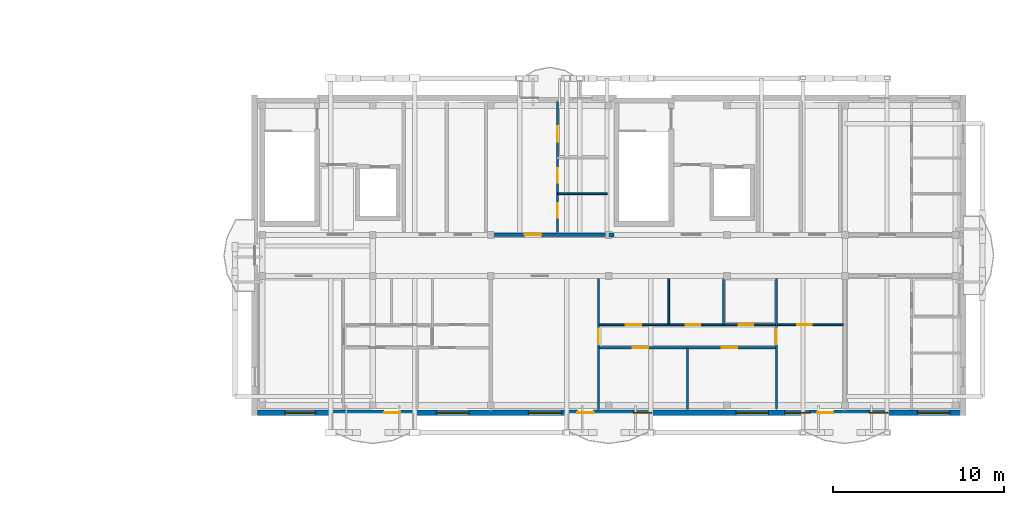
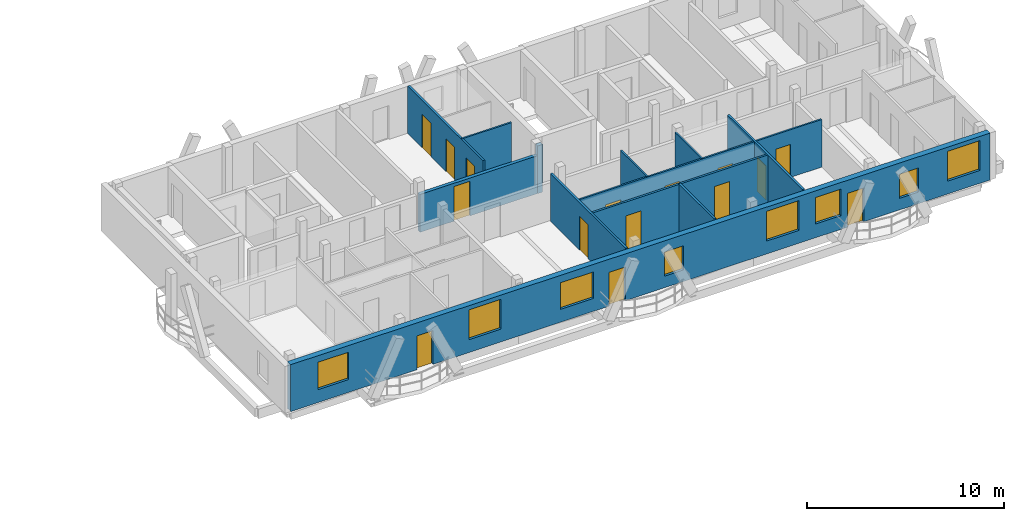
# One storey, part 25 of 41: 15 doors, 12 walls, 8 windows, 23 openings.
"""IFC4 building model written with IfcOpenShell, lengths in metres."""

from ifc_helpers import new_model, si_unit, direction, frame, frame_2d, origin, origin_with_axes, place, context, subcontext, project, spatial, rectangle, extrude, material, layer, layer_set, type_object, element, fill, save


model = new_model("IFC4")

# Units and contexts
model_context = context("Model", 3, precision=1e-05, world=origin(), true_north=direction((0.0, 1.0)))
body_context = subcontext(model_context, "Body", "Model", "MODEL_VIEW")
ifc_project = project(units=[si_unit("LENGTHUNIT", "METRE"), si_unit("AREAUNIT", "SQUARE_METRE"), si_unit("VOLUMEUNIT", "CUBIC_METRE"), si_unit("PLANEANGLEUNIT", "RADIAN"), si_unit("MASSUNIT", "GRAM", prefix="KILO")], contexts=[model_context])

# Site, building, storey
site_placement = place(None, origin())
site = spatial("IfcSite", under=ifc_project, at=site_placement, CompositionType="ELEMENT")
building_placement = place(site_placement, origin())
building = spatial("IfcBuilding", under=site, at=building_placement, Name="Zavelmont Quarter", CompositionType="ELEMENT")
storey_placement = place(building_placement, frame((0.0, 0.0, 27.199951171875)))
storey = spatial("IfcBuildingStorey", under=building, at=storey_placement, Name="L08", CompositionType="ELEMENT", Elevation=27.199951171875)

# Wall, openings, doors, windows
ifc_material_1 = material(Name="Natural Belgian limestone", Category="masonry")
ifc_layer_1 = layer(ifc_material_1, 0.340087890625)
ifc_layer_set_1 = layer_set([ifc_layer_1], Name="Natural Belgian limestone")
wall_type_1 = type_object("IfcWallType", Name="EW03", PredefinedType="STANDARD", material=ifc_layer_set_1)
wall_1_placement = place(storey_placement, frame((126.760009765625, 0.0, 0.0), z_axis=(0.0, 0.0, 1.0), x_axis=(1.0, 0.0, 0.0)))
wall_1 = element("IfcWall", 1, at=wall_1_placement, inside=storey, type_object=wall_type_1, Name="L08 exterior limestone wall EW03", PredefinedType="STANDARD", context=body_context, shape_type="SweptSolid", body=[
    extrude(rectangle(XDim=41.080078125, YDim=0.340087890625, at=frame_2d((20.5400390625, 0.0))), origin(), (0.0, 0.0, 1.0), 2.91015625),
])
opening_1_placement = place(wall_1_placement, frame((7.409912109375, 0.0, 0.0)))
opening_1 = element("IfcOpeningElement", 2, at=opening_1_placement, cuts=wall_1, Name="Opening DR04", PredefinedType="OPENING", context=body_context, shape_type="SweptSolid", body=[
    extrude(rectangle(XDim=0.949951171875, YDim=2.10009765625, at=frame_2d((0.47509765625, 1.050048828125))), frame((0.0, 0.18212890625, 0.0), z_axis=(0.0, -1.0, 0.0), x_axis=(1.0, 0.0, 0.0)), (0.0, 0.0, 1.0), 0.364013671875),
])
opening_2_placement = place(wall_1_placement, frame((18.707275390625, 0.0, 0.0)))
opening_2 = element("IfcOpeningElement", 3, at=opening_2_placement, cuts=wall_1, Name="Opening DR04", PredefinedType="OPENING", context=body_context, shape_type="SweptSolid", body=[
    extrude(rectangle(XDim=0.949951171875, YDim=2.10009765625, at=frame_2d((0.47509765625, 1.050048828125))), frame((0.0, 0.18212890625, 0.0), z_axis=(0.0, -1.0, 0.0), x_axis=(1.0, 0.0, 0.0)), (0.0, 0.0, 1.0), 0.364013671875),
])
opening_3_placement = place(wall_1_placement, frame((32.707275390625, 0.0, 0.0)))
opening_3 = element("IfcOpeningElement", 4, at=opening_3_placement, cuts=wall_1, Name="Opening DR04", PredefinedType="OPENING", context=body_context, shape_type="SweptSolid", body=[
    extrude(rectangle(XDim=0.949951171875, YDim=2.10009765625, at=frame_2d((0.47509765625, 1.050048828125))), frame((0.0, 0.18212890625, 0.0), z_axis=(0.0, -1.0, 0.0), x_axis=(1.0, 0.0, 0.0)), (0.0, 0.0, 1.0), 0.364013671875),
])
opening_4_placement = place(wall_1_placement, frame((1.610107421875, 0.0, 0.800048828125)))
opening_4 = element("IfcOpeningElement", 5, at=opening_4_placement, cuts=wall_1, Name="Opening WN02", PredefinedType="OPENING", context=body_context, shape_type="SweptSolid", body=[
    extrude(rectangle(XDim=1.800048828125, YDim=1.699951171875, at=frame_2d((0.89990234375, 0.85009765625))), frame((0.0, 0.18212890625, 0.0), z_axis=(0.0, -1.0, 0.0), x_axis=(1.0, 0.0, 0.0)), (0.0, 0.0, 1.0), 0.364013671875),
])
opening_5_placement = place(wall_1_placement, frame((10.4599609375, 0.0, 0.800048828125)))
opening_5 = element("IfcOpeningElement", 6, at=opening_5_placement, cuts=wall_1, Name="Opening WN20", PredefinedType="OPENING", context=body_context, shape_type="SweptSolid", body=[
    extrude(rectangle(XDim=1.89990234375, YDim=1.85009765625, at=frame_2d((0.949951171875, 0.925048828125))), frame((0.0, 0.18212890625, 0.0), z_axis=(0.0, -1.0, 0.0), x_axis=(1.0, 0.0, 0.0)), (0.0, 0.0, 1.0), 0.364013671875),
])
opening_6_placement = place(wall_1_placement, frame((15.8349609375, 0.0, 0.800048828125)))
opening_6 = element("IfcOpeningElement", 7, at=opening_6_placement, cuts=wall_1, Name="Opening WN24", PredefinedType="OPENING", context=body_context, shape_type="SweptSolid", body=[
    extrude(rectangle(XDim=1.949951171875, YDim=1.64990234375, at=frame_2d((0.97509765625, 0.824951171875))), frame((0.0, 0.18212890625, 0.0), z_axis=(0.0, -1.0, 0.0), x_axis=(1.0, 0.0, 0.0)), (0.0, 0.0, 1.0), 0.364013671875),
])
opening_7_placement = place(wall_1_placement, frame((21.9599609375, 0.0, 0.719970703125)))
opening_7 = element("IfcOpeningElement", 8, at=opening_7_placement, cuts=wall_1, Name="Opening WN09", PredefinedType="OPENING", context=body_context, shape_type="SweptSolid", body=[
    extrude(rectangle(XDim=1.10009765625, YDim=1.5, at=frame_2d((0.550048828125, 0.75))), frame((0.0, 0.18212890625, 0.0), z_axis=(0.0, -1.0, 0.0), x_axis=(1.0, 0.0, 0.0)), (0.0, 0.0, 1.0), 0.364013671875),
])
opening_8_placement = place(wall_1_placement, frame((27.9599609375, 0.0, 0.800048828125)))
opening_8 = element("IfcOpeningElement", 9, at=opening_8_placement, cuts=wall_1, Name="Opening WN20", PredefinedType="OPENING", context=body_context, shape_type="SweptSolid", body=[
    extrude(rectangle(XDim=1.89990234375, YDim=1.85009765625, at=frame_2d((0.949951171875, 0.925048828125))), frame((0.0, 0.18212890625, 0.0), z_axis=(0.0, -1.0, 0.0), x_axis=(1.0, 0.0, 0.0)), (0.0, 0.0, 1.0), 0.364013671875),
])
opening_9_placement = place(wall_1_placement, frame((30.81005859375, 0.0, 0.85009765625)))
opening_9 = element("IfcOpeningElement", 10, at=opening_9_placement, cuts=wall_1, Name="Opening WN01", PredefinedType="OPENING", context=body_context, shape_type="SweptSolid", body=[
    extrude(rectangle(XDim=1.5, YDim=1.64990234375, at=frame_2d((0.75, 0.824951171875))), frame((0.0, 0.18212890625, 0.0), z_axis=(0.0, -1.0, 0.0), x_axis=(1.0, 0.0, 0.0)), (0.0, 0.0, 1.0), 0.364013671875),
])
opening_10_placement = place(wall_1_placement, frame((35.760009765625, 0.0, 0.719970703125)))
opening_10 = element("IfcOpeningElement", 11, at=opening_10_placement, cuts=wall_1, Name="Opening WN09", PredefinedType="OPENING", context=body_context, shape_type="SweptSolid", body=[
    extrude(rectangle(XDim=1.10009765625, YDim=1.5, at=frame_2d((0.550048828125, 0.75))), frame((0.0, 0.18212890625, 0.0), z_axis=(0.0, -1.0, 0.0), x_axis=(1.0, 0.0, 0.0)), (0.0, 0.0, 1.0), 0.364013671875),
])
opening_11_placement = place(wall_1_placement, frame((38.574951171875, 0.0, 0.800048828125)))
opening_11 = element("IfcOpeningElement", 12, at=opening_11_placement, cuts=wall_1, Name="Opening WN20", PredefinedType="OPENING", context=body_context, shape_type="SweptSolid", body=[
    extrude(rectangle(XDim=1.89990234375, YDim=1.85009765625, at=frame_2d((0.949951171875, 0.925048828125))), frame((0.0, 0.18212890625, 0.0), z_axis=(0.0, -1.0, 0.0), x_axis=(1.0, 0.0, 0.0)), (0.0, 0.0, 1.0), 0.364013671875),
])
ifc_material_2 = material(Name="Thermally broken aluminium and double safety glass", Category="aluminium")
door_type_1 = type_object("IfcDoorType", Name="DR04", OperationType="NOTDEFINED", PredefinedType="DOOR", material=ifc_material_2)
door_1_placement = place(opening_1_placement, origin_with_axes())
door_1 = element("IfcDoor", 13, at=door_1_placement, inside=storey, type_object=door_type_1, Name="Block D L08 glazed balcony door", OperationType="SINGLE_SWING_LEFT", OverallHeight=2.10009765625, OverallWidth=0.949951171875, PredefinedType="DOOR", context=body_context, shape_type="SweptSolid", body=[
    extrude(rectangle(XDim=0.949951171875, YDim=2.10009765625, at=frame_2d((0.47509765625, 1.050048828125))), frame((0.0, 0.02490234375, 0.0), z_axis=(0.0, -1.0, 0.0), x_axis=(1.0, 0.0, 0.0)), (0.0, 0.0, 1.0), 0.050048828125),
])
fill(opening_1, door_1)
door_2_placement = place(opening_2_placement, origin_with_axes())
door_2 = element("IfcDoor", 14, at=door_2_placement, inside=storey, type_object=door_type_1, Name="Block D L08 glazed balcony door", OperationType="SINGLE_SWING_RIGHT", OverallHeight=2.10009765625, OverallWidth=0.949951171875, PredefinedType="DOOR", context=body_context, shape_type="SweptSolid", body=[
    extrude(rectangle(XDim=0.949951171875, YDim=2.10009765625, at=frame_2d((0.47509765625, 1.050048828125))), frame((0.0, 0.02490234375, 0.0), z_axis=(0.0, -1.0, 0.0), x_axis=(1.0, 0.0, 0.0)), (0.0, 0.0, 1.0), 0.050048828125),
])
fill(opening_2, door_2)
door_3_placement = place(opening_3_placement, origin_with_axes())
door_3 = element("IfcDoor", 15, at=door_3_placement, inside=storey, type_object=door_type_1, Name="Block D L08 glazed balcony door", OperationType="SINGLE_SWING_RIGHT", OverallHeight=2.10009765625, OverallWidth=0.949951171875, PredefinedType="DOOR", context=body_context, shape_type="SweptSolid", body=[
    extrude(rectangle(XDim=0.949951171875, YDim=2.10009765625, at=frame_2d((0.47509765625, 1.050048828125))), frame((0.0, 0.02490234375, 0.0), z_axis=(0.0, -1.0, 0.0), x_axis=(1.0, 0.0, 0.0)), (0.0, 0.0, 1.0), 0.050048828125),
])
fill(opening_3, door_3)
ifc_material_3 = material(Name="Double low-E insulated glazing in thermally broken aluminium frame", Category="aluminium")
window_type_1 = type_object("IfcWindowType", Name="WN01", PartitioningType="SINGLE_PANEL", PredefinedType="WINDOW", material=ifc_material_3)
window_1_placement = place(opening_9_placement, origin_with_axes())
window_1 = element("IfcWindow", 16, at=window_1_placement, inside=storey, type_object=window_type_1, Name="L08 window WN01", OverallHeight=1.64990234375, OverallWidth=1.5, PartitioningType="SINGLE_PANEL", PredefinedType="WINDOW", context=body_context, shape_type="SweptSolid", body=[
    extrude(rectangle(XDim=1.5, YDim=1.64990234375, at=frame_2d((0.75, 0.824951171875))), frame((0.0, 0.030029296875, 0.0), z_axis=(0.0, -1.0, 0.0), x_axis=(1.0, 0.0, 0.0)), (0.0, 0.0, 1.0), 0.06005859375),
])
fill(opening_9, window_1)
window_type_2 = type_object("IfcWindowType", Name="WN02", PartitioningType="SINGLE_PANEL", PredefinedType="WINDOW", material=ifc_material_3)
window_2_placement = place(opening_4_placement, origin_with_axes())
window_2 = element("IfcWindow", 17, at=window_2_placement, inside=storey, type_object=window_type_2, Name="L08 window WN02", OverallHeight=1.699951171875, OverallWidth=1.800048828125, PartitioningType="SINGLE_PANEL", PredefinedType="WINDOW", context=body_context, shape_type="SweptSolid", body=[
    extrude(rectangle(XDim=1.800048828125, YDim=1.699951171875, at=frame_2d((0.89990234375, 0.85009765625))), frame((0.0, 0.030029296875, 0.0), z_axis=(0.0, -1.0, 0.0), x_axis=(1.0, 0.0, 0.0)), (0.0, 0.0, 1.0), 0.06005859375),
])
fill(opening_4, window_2)
window_type_3 = type_object("IfcWindowType", Name="WN09", PartitioningType="SINGLE_PANEL", PredefinedType="WINDOW", material=ifc_material_3)
window_3_placement = place(opening_7_placement, origin_with_axes())
window_3 = element("IfcWindow", 18, at=window_3_placement, inside=storey, type_object=window_type_3, Name="L08 window WN09", OverallHeight=1.5, OverallWidth=1.10009765625, PartitioningType="SINGLE_PANEL", PredefinedType="WINDOW", context=body_context, shape_type="SweptSolid", body=[
    extrude(rectangle(XDim=1.10009765625, YDim=1.5, at=frame_2d((0.550048828125, 0.75))), frame((0.0, 0.030029296875, 0.0), z_axis=(0.0, -1.0, 0.0), x_axis=(1.0, 0.0, 0.0)), (0.0, 0.0, 1.0), 0.06005859375),
])
fill(opening_7, window_3)
window_4_placement = place(opening_10_placement, origin_with_axes())
window_4 = element("IfcWindow", 19, at=window_4_placement, inside=storey, type_object=window_type_3, Name="L08 window WN09", OverallHeight=1.5, OverallWidth=1.10009765625, PartitioningType="SINGLE_PANEL", PredefinedType="WINDOW", context=body_context, shape_type="SweptSolid", body=[
    extrude(rectangle(XDim=1.10009765625, YDim=1.5, at=frame_2d((0.550048828125, 0.75))), frame((0.0, 0.030029296875, 0.0), z_axis=(0.0, -1.0, 0.0), x_axis=(1.0, 0.0, 0.0)), (0.0, 0.0, 1.0), 0.06005859375),
])
fill(opening_10, window_4)
window_type_4 = type_object("IfcWindowType", Name="WN20", PartitioningType="SINGLE_PANEL", PredefinedType="WINDOW", material=ifc_material_3)
window_5_placement = place(opening_5_placement, origin_with_axes())
window_5 = element("IfcWindow", 20, at=window_5_placement, inside=storey, type_object=window_type_4, Name="L08 window WN20", OverallHeight=1.85009765625, OverallWidth=1.89990234375, PartitioningType="SINGLE_PANEL", PredefinedType="WINDOW", context=body_context, shape_type="SweptSolid", body=[
    extrude(rectangle(XDim=1.89990234375, YDim=1.85009765625, at=frame_2d((0.949951171875, 0.925048828125))), frame((0.0, 0.030029296875, 0.0), z_axis=(0.0, -1.0, 0.0), x_axis=(1.0, 0.0, 0.0)), (0.0, 0.0, 1.0), 0.06005859375),
])
fill(opening_5, window_5)
window_6_placement = place(opening_8_placement, origin_with_axes())
window_6 = element("IfcWindow", 21, at=window_6_placement, inside=storey, type_object=window_type_4, Name="L08 window WN20", OverallHeight=1.85009765625, OverallWidth=1.89990234375, PartitioningType="SINGLE_PANEL", PredefinedType="WINDOW", context=body_context, shape_type="SweptSolid", body=[
    extrude(rectangle(XDim=1.89990234375, YDim=1.85009765625, at=frame_2d((0.949951171875, 0.925048828125))), frame((0.0, 0.030029296875, 0.0), z_axis=(0.0, -1.0, 0.0), x_axis=(1.0, 0.0, 0.0)), (0.0, 0.0, 1.0), 0.06005859375),
])
fill(opening_8, window_6)
window_7_placement = place(opening_11_placement, origin_with_axes())
window_7 = element("IfcWindow", 22, at=window_7_placement, inside=storey, type_object=window_type_4, Name="L08 window WN20", OverallHeight=1.85009765625, OverallWidth=1.89990234375, PartitioningType="SINGLE_PANEL", PredefinedType="WINDOW", context=body_context, shape_type="SweptSolid", body=[
    extrude(rectangle(XDim=1.89990234375, YDim=1.85009765625, at=frame_2d((0.949951171875, 0.925048828125))), frame((0.0, 0.030029296875, 0.0), z_axis=(0.0, -1.0, 0.0), x_axis=(1.0, 0.0, 0.0)), (0.0, 0.0, 1.0), 0.06005859375),
])
fill(opening_11, window_7)
window_type_5 = type_object("IfcWindowType", Name="WN24", PartitioningType="SINGLE_PANEL", PredefinedType="WINDOW", material=ifc_material_3)
window_8_placement = place(opening_6_placement, origin_with_axes())
window_8 = element("IfcWindow", 23, at=window_8_placement, inside=storey, type_object=window_type_5, Name="L08 window WN24", OverallHeight=1.64990234375, OverallWidth=1.949951171875, PartitioningType="SINGLE_PANEL", PredefinedType="WINDOW", context=body_context, shape_type="SweptSolid", body=[
    extrude(rectangle(XDim=1.949951171875, YDim=1.64990234375, at=frame_2d((0.97509765625, 0.824951171875))), frame((0.0, 0.030029296875, 0.0), z_axis=(0.0, -1.0, 0.0), x_axis=(1.0, 0.0, 0.0)), (0.0, 0.0, 1.0), 0.06005859375),
])
fill(opening_6, window_8)

# Wall, opening, door
ifc_material_4 = material(Name="Calcium-silicate blockwork and acoustic plaster", Category="masonry")
ifc_layer_2 = layer(ifc_material_4, 0.199951171875)
ifc_layer_set_2 = layer_set([ifc_layer_2], Name="Calcium-silicate blockwork and acoustic plaster")
wall_type_2 = type_object("IfcWallType", Name="IW01", PredefinedType="PARTITIONING", material=ifc_layer_set_2)
wall_2_placement = place(storey_placement, frame((140.39990234375, 10.39990234375, 0.0), z_axis=(0.0, 0.0, 1.0), x_axis=(1.0, 0.0, 0.0)))
wall_2 = element("IfcWall", 24, at=wall_2_placement, inside=storey, type_object=wall_type_2, Name="L08 Corridor compartment wall IW01", PredefinedType="PARTITIONING", context=body_context, shape_type="SweptSolid", body=[
    extrude(rectangle(XDim=6.900146484375, YDim=0.199951171875, at=frame_2d((3.4501953125, 0.0))), origin(), (0.0, 0.0, 1.0), 2.35009765625),
])
opening_12_placement = place(wall_2_placement, frame((2.0, 0.0, 0.0)))
opening_12 = element("IfcOpeningElement", 25, at=opening_12_placement, cuts=wall_2, Name="Opening DR02", PredefinedType="OPENING", context=body_context, shape_type="SweptSolid", body=[
    extrude(rectangle(XDim=0.949951171875, YDim=2.14990234375, at=frame_2d((0.47509765625, 1.074951171875))), frame((0.0, 0.11181640625, 0.0), z_axis=(0.0, -1.0, 0.0), x_axis=(1.0, 0.0, 0.0)), (0.0, 0.0, 1.0), 0.223876953125),
])
ifc_material_5 = material(Name="Solid-core oak fire leaf in steel frame", Category="steel")
door_type_2 = type_object("IfcDoorType", Name="DR02", OperationType="NOTDEFINED", PredefinedType="DOOR", material=ifc_material_5)
door_4_placement = place(opening_12_placement, origin_with_axes())
door_4 = element("IfcDoor", 26, at=door_4_placement, inside=storey, type_object=door_type_2, Name="L08 door DR02", OperationType="SINGLE_SWING_RIGHT", OverallHeight=2.14990234375, OverallWidth=0.949951171875, PredefinedType="DOOR", context=body_context, shape_type="SweptSolid", body=[
    extrude(rectangle(XDim=0.949951171875, YDim=2.14990234375, at=frame_2d((0.47509765625, 1.074951171875))), frame((0.0, 0.02490234375, 0.0), z_axis=(0.0, -1.0, 0.0), x_axis=(1.0, 0.0, 0.0)), (0.0, 0.0, 1.0), 0.050048828125),
])
fill(opening_12, door_4)

# Wall
ifc_material_6 = material(Name="Reinforced masonry fire compartment wall", Category="masonry")
ifc_layer_3 = layer(ifc_material_6, 0.22509765625)
ifc_layer_set_3 = layer_set([ifc_layer_3], Name="Reinforced masonry fire compartment wall")
wall_type_3 = type_object("IfcWallType", Name="IW02", PredefinedType="PARTITIONING", material=ifc_layer_set_3)
wall_3_placement = place(storey_placement, frame((147.300048828125, 10.39990234375, 0.0), z_axis=(0.0, 0.0, 1.0), x_axis=(1.0, 0.0, 0.0)))
element("IfcWall", 27, at=wall_3_placement, inside=storey, type_object=wall_type_3, Name="L08 Core corridor wall IW02", PredefinedType="PARTITIONING", context=body_context, shape_type="SweptSolid", body=[
    extrude(rectangle(XDim=0.300048828125, YDim=0.22509765625, at=frame_2d((0.14990234375, 0.0))), origin(), (0.0, 0.0, 1.0), 2.9599609375),
])

# Wall, opening, door
ifc_material_7 = material(Name="Double gypsum board on acoustic steel stud", Category="steel")
ifc_layer_4 = layer(ifc_material_7, 0.125)
ifc_layer_set_4 = layer_set([ifc_layer_4], Name="Double gypsum board on acoustic steel stud")
wall_type_4 = type_object("IfcWallType", Name="IW03", PredefinedType="PARTITIONING", material=ifc_layer_set_4)
wall_4_placement = place(storey_placement, frame((146.699951171875, 7.85009765625, 0.0), z_axis=(0.0, 0.0, 1.0), x_axis=(0.0, -1.0, 0.0)))
wall_4 = element("IfcWall", 28, at=wall_4_placement, inside=storey, type_object=wall_type_4, Name="L08 Partition IW03", PredefinedType="PARTITIONING", context=body_context, shape_type="SweptSolid", body=[
    extrude(rectangle(XDim=7.650146484375, YDim=0.125, at=frame_2d((3.8251953125, 0.0))), origin(), (0.0, 0.0, 1.0), 2.9599609375),
])
opening_13_placement = place(wall_4_placement, frame((2.949951171875, 0.0, 0.0)))
opening_13 = element("IfcOpeningElement", 29, at=opening_13_placement, cuts=wall_4, Name="Opening DR05", PredefinedType="OPENING", context=body_context, shape_type="SweptSolid", body=[
    extrude(rectangle(XDim=0.89990234375, YDim=2.10009765625, at=frame_2d((0.449951171875, 1.050048828125))), frame((0.0, 0.074462890625, 0.0), z_axis=(0.0, -1.0, 0.0), x_axis=(1.0, 0.0, 0.0)), (0.0, 0.0, 1.0), 0.14892578125),
])
ifc_material_8 = material(Name="Engineered oak flush interior door")
door_type_3 = type_object("IfcDoorType", Name="DR05", OperationType="NOTDEFINED", PredefinedType="DOOR", material=ifc_material_8)
door_5_placement = place(opening_13_placement, frame((0.89990234375, 0.0, 0.0), z_axis=(0.0, 0.0, 1.0), x_axis=(-1.0, 0.0, 0.0)))
door_5 = element("IfcDoor", 30, at=door_5_placement, inside=storey, type_object=door_type_3, Name="L08 door DR05", OperationType="SINGLE_SWING_RIGHT", OverallHeight=2.10009765625, OverallWidth=0.89990234375, PredefinedType="DOOR", context=body_context, shape_type="SweptSolid", body=[
    extrude(rectangle(XDim=0.89990234375, YDim=2.10009765625, at=frame_2d((0.449951171875, 1.050048828125))), frame((0.0, 0.02490234375, 0.0), z_axis=(0.0, -1.0, 0.0), x_axis=(1.0, 0.0, 0.0)), (0.0, 0.0, 1.0), 0.050048828125),
])
fill(opening_13, door_5)

# Wall
wall_5_placement = place(storey_placement, frame((151.89990234375, 3.800048828125, 0.0), z_axis=(0.0, 0.0, 1.0), x_axis=(0.0, -1.0, 0.0)))
element("IfcWall", 31, at=wall_5_placement, inside=storey, type_object=wall_type_4, Name="L08 Partition IW03", PredefinedType="PARTITIONING", context=body_context, shape_type="SweptSolid", body=[
    extrude(rectangle(XDim=3.60009765625, YDim=0.125, at=frame_2d((1.800048828125, 0.0))), origin(), (0.0, 0.0, 1.0), 2.9599609375),
])

# Wall, opening, door
wall_6_placement = place(storey_placement, frame((157.10009765625, 7.85009765625, 0.0), z_axis=(0.0, 0.0, 1.0), x_axis=(0.0, -1.0, 0.0)))
wall_6 = element("IfcWall", 32, at=wall_6_placement, inside=storey, type_object=wall_type_4, Name="L08 Partition IW03", PredefinedType="PARTITIONING", context=body_context, shape_type="SweptSolid", body=[
    extrude(rectangle(XDim=7.650146484375, YDim=0.125, at=frame_2d((3.8251953125, 0.0))), origin(), (0.0, 0.0, 1.0), 2.9599609375),
])
opening_14_placement = place(wall_6_placement, frame((2.949951171875, 0.0, 0.0)))
opening_14 = element("IfcOpeningElement", 33, at=opening_14_placement, cuts=wall_6, Name="Opening DR05", PredefinedType="OPENING", context=body_context, shape_type="SweptSolid", body=[
    extrude(rectangle(XDim=0.89990234375, YDim=2.10009765625, at=frame_2d((0.449951171875, 1.050048828125))), frame((0.0, 0.074462890625, 0.0), z_axis=(0.0, -1.0, 0.0), x_axis=(1.0, 0.0, 0.0)), (0.0, 0.0, 1.0), 0.14892578125),
])
door_6_placement = place(opening_14_placement, origin_with_axes())
door_6 = element("IfcDoor", 34, at=door_6_placement, inside=storey, type_object=door_type_3, Name="L08 door DR05", OperationType="SINGLE_SWING_LEFT", OverallHeight=2.10009765625, OverallWidth=0.89990234375, PredefinedType="DOOR", context=body_context, shape_type="SweptSolid", body=[
    extrude(rectangle(XDim=0.89990234375, YDim=2.10009765625, at=frame_2d((0.449951171875, 1.050048828125))), frame((0.0, 0.02490234375, 0.0), z_axis=(0.0, -1.0, 0.0), x_axis=(1.0, 0.0, 0.0)), (0.0, 0.0, 1.0), 0.050048828125),
])
fill(opening_14, door_6)

# Wall, openings, doors
wall_7_placement = place(storey_placement, frame((146.699951171875, 3.800048828125, 0.0), z_axis=(0.0, 0.0, 1.0), x_axis=(1.0, 0.0, 0.0)))
wall_7 = element("IfcWall", 35, at=wall_7_placement, inside=storey, type_object=wall_type_4, Name="L08 Partition IW03", PredefinedType="PARTITIONING", context=body_context, shape_type="SweptSolid", body=[
    extrude(rectangle(XDim=10.400146484375, YDim=0.125, at=frame_2d((5.2001953125, 0.0))), origin(), (0.0, 0.0, 1.0), 2.9599609375),
])
opening_15_placement = place(wall_7_placement, frame((2.0, 0.0, 0.0)))
opening_15 = element("IfcOpeningElement", 36, at=opening_15_placement, cuts=wall_7, Name="Opening DR05", PredefinedType="OPENING", context=body_context, shape_type="SweptSolid", body=[
    extrude(rectangle(XDim=0.89990234375, YDim=2.10009765625, at=frame_2d((0.449951171875, 1.050048828125))), frame((0.0, 0.074462890625, 0.0), z_axis=(0.0, -1.0, 0.0), x_axis=(1.0, 0.0, 0.0)), (0.0, 0.0, 1.0), 0.14892578125),
])
opening_16_placement = place(wall_7_placement, frame((7.199951171875, 0.0, 0.0)))
opening_16 = element("IfcOpeningElement", 37, at=opening_16_placement, cuts=wall_7, Name="Opening DR05", PredefinedType="OPENING", context=body_context, shape_type="SweptSolid", body=[
    extrude(rectangle(XDim=0.89990234375, YDim=2.10009765625, at=frame_2d((0.449951171875, 1.050048828125))), frame((0.0, 0.074462890625, 0.0), z_axis=(0.0, -1.0, 0.0), x_axis=(1.0, 0.0, 0.0)), (0.0, 0.0, 1.0), 0.14892578125),
])
door_7_placement = place(opening_15_placement, frame((0.89990234375, 0.0, 0.0), z_axis=(0.0, 0.0, 1.0), x_axis=(-1.0, 0.0, 0.0)))
door_7 = element("IfcDoor", 38, at=door_7_placement, inside=storey, type_object=door_type_3, Name="L08 door DR05", OperationType="SINGLE_SWING_RIGHT", OverallHeight=2.10009765625, OverallWidth=0.89990234375, PredefinedType="DOOR", context=body_context, shape_type="SweptSolid", body=[
    extrude(rectangle(XDim=0.89990234375, YDim=2.10009765625, at=frame_2d((0.449951171875, 1.050048828125))), frame((0.0, 0.02490234375, 0.0), z_axis=(0.0, -1.0, 0.0), x_axis=(1.0, 0.0, 0.0)), (0.0, 0.0, 1.0), 0.050048828125),
])
fill(opening_15, door_7)
door_8_placement = place(opening_16_placement, origin_with_axes())
door_8 = element("IfcDoor", 39, at=door_8_placement, inside=storey, type_object=door_type_3, Name="L08 door DR05", OperationType="SINGLE_SWING_LEFT", OverallHeight=2.10009765625, OverallWidth=0.89990234375, PredefinedType="DOOR", context=body_context, shape_type="SweptSolid", body=[
    extrude(rectangle(XDim=0.89990234375, YDim=2.10009765625, at=frame_2d((0.449951171875, 1.050048828125))), frame((0.0, 0.02490234375, 0.0), z_axis=(0.0, -1.0, 0.0), x_axis=(1.0, 0.0, 0.0)), (0.0, 0.0, 1.0), 0.050048828125),
])
fill(opening_16, door_8)

wall_8_placement = place(storey_placement, frame((144.300048828125, 10.550048828125, 0.0), z_axis=(0.0, 0.0, 1.0), x_axis=(0.0, 1.0, 0.0)))
wall_8 = element("IfcWall", 40, at=wall_8_placement, inside=storey, type_object=wall_type_4, Name="L08 Partition IW03", PredefinedType="PARTITIONING", context=body_context, shape_type="SweptSolid", body=[
    extrude(rectangle(XDim=7.64990234375, YDim=0.125, at=frame_2d((3.824951171875, 0.0))), origin(), (0.0, 0.0, 1.0), 2.9599609375),
])
opening_17_placement = place(wall_8_placement, frame((0.85009765625, 0.0, 0.0)))
opening_17 = element("IfcOpeningElement", 41, at=opening_17_placement, cuts=wall_8, Name="Opening DR16", PredefinedType="OPENING", context=body_context, shape_type="SweptSolid", body=[
    extrude(rectangle(XDim=0.85009765625, YDim=2.10009765625, at=frame_2d((0.425048828125, 1.050048828125))), frame((0.0, 0.074462890625, 0.0), z_axis=(0.0, -1.0, 0.0), x_axis=(1.0, 0.0, 0.0)), (0.0, 0.0, 1.0), 0.14892578125),
])
opening_18_placement = place(wall_8_placement, frame((2.89990234375, 0.0, 0.0)))
opening_18 = element("IfcOpeningElement", 42, at=opening_18_placement, cuts=wall_8, Name="Opening DR06", PredefinedType="OPENING", context=body_context, shape_type="SweptSolid", body=[
    extrude(rectangle(XDim=0.85009765625, YDim=2.050048828125, at=frame_2d((0.425048828125, 1.02490234375))), frame((0.0, 0.074462890625, 0.0), z_axis=(0.0, -1.0, 0.0), x_axis=(1.0, 0.0, 0.0)), (0.0, 0.0, 1.0), 0.14892578125),
])
opening_19_placement = place(wall_8_placement, frame((5.300048828125, 0.0, 0.0)))
opening_19 = element("IfcOpeningElement", 43, at=opening_19_placement, cuts=wall_8, Name="Opening DR05", PredefinedType="OPENING", context=body_context, shape_type="SweptSolid", body=[
    extrude(rectangle(XDim=0.89990234375, YDim=2.10009765625, at=frame_2d((0.449951171875, 1.050048828125))), frame((0.0, 0.074462890625, 0.0), z_axis=(0.0, -1.0, 0.0), x_axis=(1.0, 0.0, 0.0)), (0.0, 0.0, 1.0), 0.14892578125),
])
door_9_placement = place(opening_19_placement, origin_with_axes())
door_9 = element("IfcDoor", 44, at=door_9_placement, inside=storey, type_object=door_type_3, Name="L08 door DR05", OperationType="SINGLE_SWING_RIGHT", OverallHeight=2.10009765625, OverallWidth=0.89990234375, PredefinedType="DOOR", context=body_context, shape_type="SweptSolid", body=[
    extrude(rectangle(XDim=0.89990234375, YDim=2.10009765625, at=frame_2d((0.449951171875, 1.050048828125))), frame((0.0, 0.02490234375, 0.0), z_axis=(0.0, -1.0, 0.0), x_axis=(1.0, 0.0, 0.0)), (0.0, 0.0, 1.0), 0.050048828125),
])
fill(opening_19, door_9)
ifc_material_9 = material(Name="Moisture-resistant painted wet-room door")
door_type_4 = type_object("IfcDoorType", Name="DR06", OperationType="NOTDEFINED", PredefinedType="DOOR", material=ifc_material_9)
door_10_placement = place(opening_18_placement, frame((0.85009765625, 0.0, 0.0), z_axis=(0.0, 0.0, 1.0), x_axis=(-1.0, 0.0, 0.0)))
door_10 = element("IfcDoor", 45, at=door_10_placement, inside=storey, type_object=door_type_4, Name="L08 door DR06", OperationType="SINGLE_SWING_LEFT", OverallHeight=2.050048828125, OverallWidth=0.85009765625, PredefinedType="DOOR", context=body_context, shape_type="SweptSolid", body=[
    extrude(rectangle(XDim=0.85009765625, YDim=2.050048828125, at=frame_2d((0.425048828125, 1.02490234375))), frame((0.0, 0.02490234375, 0.0), z_axis=(0.0, -1.0, 0.0), x_axis=(1.0, 0.0, 0.0)), (0.0, 0.0, 1.0), 0.050048828125),
])
fill(opening_18, door_10)
door_type_5 = type_object("IfcDoorType", Name="DR16", OperationType="NOTDEFINED", PredefinedType="DOOR", material=ifc_material_8)
door_11_placement = place(opening_17_placement, origin_with_axes())
door_11 = element("IfcDoor", 46, at=door_11_placement, inside=storey, type_object=door_type_5, Name="L08 door DR16", OperationType="SINGLE_SWING_RIGHT", OverallHeight=2.10009765625, OverallWidth=0.85009765625, PredefinedType="DOOR", context=body_context, shape_type="SweptSolid", body=[
    extrude(rectangle(XDim=0.85009765625, YDim=2.10009765625, at=frame_2d((0.425048828125, 1.050048828125))), frame((0.0, 0.02490234375, 0.0), z_axis=(0.0, -1.0, 0.0), x_axis=(1.0, 0.0, 0.0)), (0.0, 0.0, 1.0), 0.050048828125),
])
fill(opening_17, door_11)

# Walls
ifc_material_10 = material(Name="Moisture-resistant gypsum board on steel stud", Category="steel")
ifc_layer_5 = layer(ifc_material_10, 0.10009765625)
ifc_layer_set_5 = layer_set([ifc_layer_5], Name="Moisture-resistant gypsum board on steel stud")
wall_type_5 = type_object("IfcWallType", Name="IW04", PredefinedType="PARTITIONING", material=ifc_layer_set_5)
for number, where, z_axis, x_axis, name in (
    (47, (150.800048828125, 7.85009765625, 0.0), (0.0, 0.0, 1.0), (0.0, -1.0, 0.0), "L08 Partition IW04"),
    (48, (154.0, 7.85009765625, 0.0), (0.0, 0.0, 1.0), (0.0, -1.0, 0.0), "L08 Partition IW04"),
):
    element("IfcWall", number, at=place(storey_placement, frame(where, z_axis=z_axis, x_axis=x_axis)), inside=storey, type_object=wall_type_5, Name=name, PredefinedType="PARTITIONING", context=body_context, shape_type="SweptSolid", body=[
        extrude(rectangle(XDim=2.7001953125, YDim=0.10009765625, at=frame_2d((1.35009765625, 0.0))), origin(), (0.0, 0.0, 1.0), 2.9599609375),
    ])

# Wall, openings, doors
wall_9_placement = place(storey_placement, frame((146.699951171875, 5.14990234375, 0.0), z_axis=(0.0, 0.0, 1.0), x_axis=(1.0, 0.0, 0.0)))
wall_9 = element("IfcWall", 49, at=wall_9_placement, inside=storey, type_object=wall_type_5, Name="L08 Partition IW04", PredefinedType="PARTITIONING", context=body_context, shape_type="SweptSolid", body=[
    extrude(rectangle(XDim=14.300048828125, YDim=0.10009765625, at=frame_2d((7.14990234375, 0.0))), origin(), (0.0, 0.0, 1.0), 2.9599609375),
])
opening_20_placement = place(wall_9_placement, frame((1.60009765625, 0.0, 0.0)))
opening_20 = element("IfcOpeningElement", 50, at=opening_20_placement, cuts=wall_9, Name="Opening DR05", PredefinedType="OPENING", context=body_context, shape_type="SweptSolid", body=[
    extrude(rectangle(XDim=0.89990234375, YDim=2.10009765625, at=frame_2d((0.449951171875, 1.050048828125))), frame((0.0, 0.06201171875, 0.0), z_axis=(0.0, -1.0, 0.0), x_axis=(1.0, 0.0, 0.0)), (0.0, 0.0, 1.0), 0.1240234375),
])
opening_21_placement = place(wall_9_placement, frame((5.10009765625, 0.0, 0.0)))
opening_21 = element("IfcOpeningElement", 51, at=opening_21_placement, cuts=wall_9, Name="Opening DR06", PredefinedType="OPENING", context=body_context, shape_type="SweptSolid", body=[
    extrude(rectangle(XDim=0.85009765625, YDim=2.050048828125, at=frame_2d((0.425048828125, 1.02490234375))), frame((0.0, 0.06201171875, 0.0), z_axis=(0.0, -1.0, 0.0), x_axis=(1.0, 0.0, 0.0)), (0.0, 0.0, 1.0), 0.1240234375),
])
opening_22_placement = place(wall_9_placement, frame((8.199951171875, 0.0, 0.0)))
opening_22 = element("IfcOpeningElement", 52, at=opening_22_placement, cuts=wall_9, Name="Opening DR06", PredefinedType="OPENING", context=body_context, shape_type="SweptSolid", body=[
    extrude(rectangle(XDim=0.85009765625, YDim=2.050048828125, at=frame_2d((0.425048828125, 1.02490234375))), frame((0.0, 0.06201171875, 0.0), z_axis=(0.0, -1.0, 0.0), x_axis=(1.0, 0.0, 0.0)), (0.0, 0.0, 1.0), 0.1240234375),
])
opening_23_placement = place(wall_9_placement, frame((11.60009765625, 0.0, 0.0)))
opening_23 = element("IfcOpeningElement", 53, at=opening_23_placement, cuts=wall_9, Name="Opening DR06", PredefinedType="OPENING", context=body_context, shape_type="SweptSolid", body=[
    extrude(rectangle(XDim=0.85009765625, YDim=2.050048828125, at=frame_2d((0.425048828125, 1.02490234375))), frame((0.0, 0.06201171875, 0.0), z_axis=(0.0, -1.0, 0.0), x_axis=(1.0, 0.0, 0.0)), (0.0, 0.0, 1.0), 0.1240234375),
])
door_12_placement = place(opening_20_placement, frame((0.89990234375, 0.0, 0.0), z_axis=(0.0, 0.0, 1.0), x_axis=(-1.0, 0.0, 0.0)))
door_12 = element("IfcDoor", 54, at=door_12_placement, inside=storey, type_object=door_type_3, Name="L08 door DR05", OperationType="SINGLE_SWING_RIGHT", OverallHeight=2.10009765625, OverallWidth=0.89990234375, PredefinedType="DOOR", context=body_context, shape_type="SweptSolid", body=[
    extrude(rectangle(XDim=0.89990234375, YDim=2.10009765625, at=frame_2d((0.449951171875, 1.050048828125))), frame((0.0, 0.02490234375, 0.0), z_axis=(0.0, -1.0, 0.0), x_axis=(1.0, 0.0, 0.0)), (0.0, 0.0, 1.0), 0.050048828125),
])
fill(opening_20, door_12)
door_13_placement = place(opening_21_placement, origin_with_axes())
door_13 = element("IfcDoor", 55, at=door_13_placement, inside=storey, type_object=door_type_4, Name="L08 door DR06", OperationType="SINGLE_SWING_LEFT", OverallHeight=2.050048828125, OverallWidth=0.85009765625, PredefinedType="DOOR", context=body_context, shape_type="SweptSolid", body=[
    extrude(rectangle(XDim=0.85009765625, YDim=2.050048828125, at=frame_2d((0.425048828125, 1.02490234375))), frame((0.0, 0.02490234375, 0.0), z_axis=(0.0, -1.0, 0.0), x_axis=(1.0, 0.0, 0.0)), (0.0, 0.0, 1.0), 0.050048828125),
])
fill(opening_21, door_13)
door_14_placement = place(opening_22_placement, frame((0.85009765625, 0.0, 0.0), z_axis=(0.0, 0.0, 1.0), x_axis=(-1.0, 0.0, 0.0)))
door_14 = element("IfcDoor", 56, at=door_14_placement, inside=storey, type_object=door_type_4, Name="L08 door DR06", OperationType="SINGLE_SWING_RIGHT", OverallHeight=2.050048828125, OverallWidth=0.85009765625, PredefinedType="DOOR", context=body_context, shape_type="SweptSolid", body=[
    extrude(rectangle(XDim=0.85009765625, YDim=2.050048828125, at=frame_2d((0.425048828125, 1.02490234375))), frame((0.0, 0.02490234375, 0.0), z_axis=(0.0, -1.0, 0.0), x_axis=(1.0, 0.0, 0.0)), (0.0, 0.0, 1.0), 0.050048828125),
])
fill(opening_22, door_14)
door_15_placement = place(opening_23_placement, origin_with_axes())
door_15 = element("IfcDoor", 57, at=door_15_placement, inside=storey, type_object=door_type_4, Name="L08 door DR06", OperationType="SINGLE_SWING_LEFT", OverallHeight=2.050048828125, OverallWidth=0.85009765625, PredefinedType="DOOR", context=body_context, shape_type="SweptSolid", body=[
    extrude(rectangle(XDim=0.85009765625, YDim=2.050048828125, at=frame_2d((0.425048828125, 1.02490234375))), frame((0.0, 0.02490234375, 0.0), z_axis=(0.0, -1.0, 0.0), x_axis=(1.0, 0.0, 0.0)), (0.0, 0.0, 1.0), 0.050048828125),
])
fill(opening_23, door_15)

# Wall
wall_10_placement = place(storey_placement, frame((144.300048828125, 12.800048828125, 0.0), z_axis=(0.0, 0.0, 1.0), x_axis=(1.0, 0.0, 0.0)))
element("IfcWall", 58, at=wall_10_placement, inside=storey, type_object=wall_type_5, Name="L08 Partition IW04", PredefinedType="PARTITIONING", context=body_context, shape_type="SweptSolid", body=[
    extrude(rectangle(XDim=2.89990234375, YDim=0.10009765625, at=frame_2d((1.449951171875, 0.0))), origin(), (0.0, 0.0, 1.0), 2.9599609375),
])

save(model, "model.ifc")
